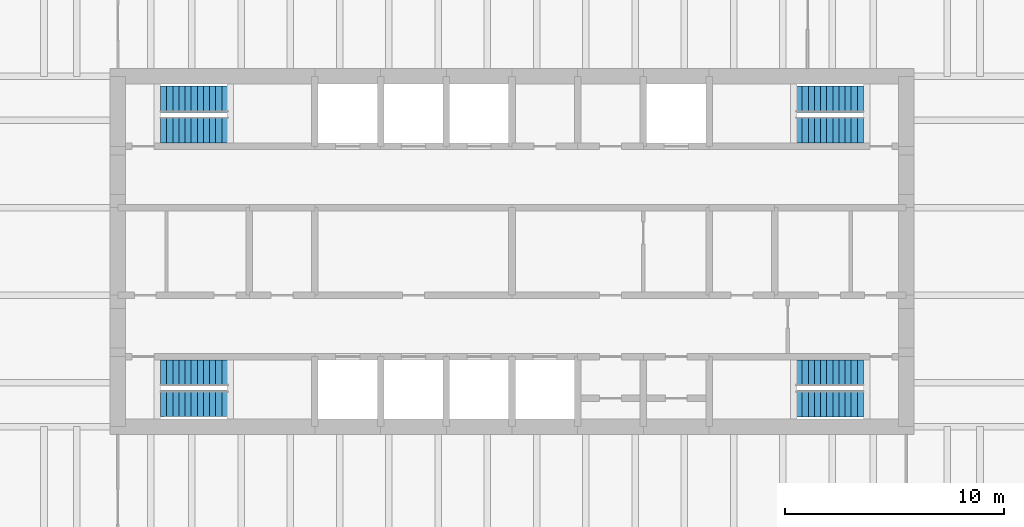
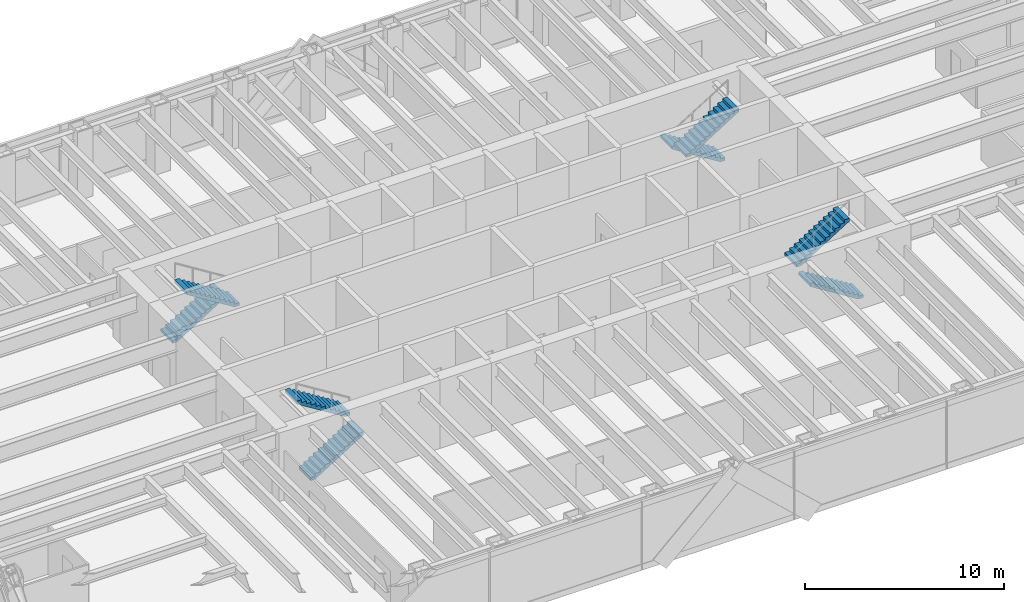
# One storey, part 16 of 17: 8 stair flights, 4 elements without a shape of their own.
"""IFC4 building model written with IfcOpenShell, lengths in metres."""

import ifcopenshell
import ifcopenshell.guid

model = None  # the IFC model being written
_history = None  # IfcOwnerHistory: only IFC2X3 demands one
_inside = {}  # id of a spatial element -> (the spatial element, [elements in it])
_under = {}  # id of a project, library or spatial element -> (it, [spatial elements below it])
_declared = {}  # id of a project -> (the project, [libraries it declares])
_typed = {}  # id of a type object -> (the type object, [elements of that type])
_made_of = {}  # id of a material, layer set ... -> (it, [elements and type objects made of it])


def new_model(schema):
    """Start an empty IFC model of exactly this schema.

    Asked for "IFC4X3", IfcOpenShell would pick the latest addendum, in which some entities
    have other attributes; the version numbers below select the first issue.
    IFC2X3 requires an IfcOwnerHistory on every rooted entity: one is made here for all.
    """
    global model, _history
    if schema == "IFC4X3":
        model = ifcopenshell.file(schema_version=(4, 3, 0, 0))
    else:
        model = ifcopenshell.file(schema=schema)
    _inside.clear()
    _under.clear()
    _declared.clear()
    _typed.clear()
    _made_of.clear()
    _history = None
    if model.schema == "IFC2X3":
        org = make("IfcOrganization", Name="unknown")
        user = make(
            "IfcPersonAndOrganization",
            ThePerson=make("IfcPerson", FamilyName="unknown"),
            TheOrganization=org,
        )
        app = make(
            "IfcApplication",
            ApplicationDeveloper=org,
            Version="unknown",
            ApplicationFullName="unknown",
            ApplicationIdentifier="unknown",
        )
        _history = make(
            "IfcOwnerHistory",
            OwningUser=user,
            OwningApplication=app,
            ChangeAction="ADDED",
            CreationDate=0,
        )
    return model


def make(cls, **values):
    """One entity of the class cls with the attributes given. An attribute that is None is left unset."""
    return model.create_entity(
        cls, **{name: value for name, value in values.items() if value is not None}
    )


def rooted(cls, **values):
    """An entity with a GlobalId (a new one), such as an element, a storey or a relation."""
    return make(cls, GlobalId=ifcopenshell.guid.new(), OwnerHistory=_history, **values)


def si_unit(unit_type, name, prefix=None):
    """IfcSIUnit, for example si_unit("LENGTHUNIT", "METRE", prefix="MILLI")."""
    return make("IfcSIUnit", UnitType=unit_type, Prefix=prefix, Name=name)


def assignment(units):
    """IfcUnitAssignment: the units of a project."""
    return None if units is None else make("IfcUnitAssignment", Units=units)


def point(xyz):
    """IfcCartesianPoint."""
    return None if xyz is None else make("IfcCartesianPoint", Coordinates=xyz)


def direction(xyz):
    """IfcDirection."""
    return None if xyz is None else make("IfcDirection", DirectionRatios=xyz)


def frame(location, z_axis=None, x_axis=None):
    """IfcAxis2Placement3D, a coordinate frame: its origin and axes. An axis left out is left unset."""
    return make(
        "IfcAxis2Placement3D",
        Location=point(location),
        Axis=direction(z_axis),
        RefDirection=direction(x_axis),
    )


def origin():
    """The frame at (0, 0, 0) with its axes left unset."""
    return frame((0.0, 0.0, 0.0))


def place(relative_to, where):
    """IfcLocalPlacement: puts the frame where relative to a parent placement (None: the world)."""
    return make(
        "IfcLocalPlacement", PlacementRelTo=relative_to, RelativePlacement=where
    )


def context(
    kind, dimensions, precision=None, world=None, true_north=None, identifier=None
):
    """IfcGeometricRepresentationContext, for example the 3D "Model" context."""
    return make(
        "IfcGeometricRepresentationContext",
        ContextIdentifier=identifier,
        ContextType=kind,
        CoordinateSpaceDimension=dimensions,
        Precision=precision,
        WorldCoordinateSystem=world,
        TrueNorth=true_north,
    )


def subcontext(parent, identifier, kind, view, scale=None):
    """IfcGeometricRepresentationSubContext, for example "Body" below "Model"."""
    return make(
        "IfcGeometricRepresentationSubContext",
        ContextIdentifier=identifier,
        ContextType=kind,
        ParentContext=parent,
        TargetScale=scale,
        TargetView=view,
    )


def project(units=None, contexts=None):
    """IfcProject with its units and contexts."""
    return rooted(
        "IfcProject",
        Name="project",
        RepresentationContexts=contexts,
        UnitsInContext=assignment(units),
    )


def spatial(cls, under=None, at=None, **own):
    """A site, building, storey or space (cls), placed at a placement, below another one or the project."""
    s = rooted(cls, ObjectPlacement=at, **own)
    if under is not None:
        _under.setdefault(under.id(), (under, []))[1].append(s)
    return s


def polyline(points):
    """IfcPolyline through the points."""
    return make("IfcPolyline", Points=[point(p) for p in points])


def outline(outer, holes=None, kind="AREA"):
    """IfcArbitraryClosedProfileDef: a profile drawn as a closed curve; with holes, ...WithVoids."""
    if holes is None:
        return make("IfcArbitraryClosedProfileDef", ProfileType=kind, OuterCurve=outer)
    return make(
        "IfcArbitraryProfileDefWithVoids",
        ProfileType=kind,
        OuterCurve=outer,
        InnerCurves=holes,
    )


def extrude(swept, where, along, depth):
    """IfcExtrudedAreaSolid: the profile swept, set in the frame where, extruded along a direction by depth."""
    return make(
        "IfcExtrudedAreaSolid",
        SweptArea=swept,
        Position=where,
        ExtrudedDirection=direction(along),
        Depth=depth,
    )


def shape(context_of_items, identifier, shape_type, items):
    """IfcShapeRepresentation: the items that make up one representation, for example the "Body"."""
    return make(
        "IfcShapeRepresentation",
        ContextOfItems=context_of_items,
        RepresentationIdentifier=identifier,
        RepresentationType=shape_type,
        Items=items,
    )


def material(Name=None, Category=None):
    """IfcMaterial."""
    return make("IfcMaterial", Name=Name, Category=Category)


def made_of(thing, what):
    """Note that an element or type object is made of a material, layer set ...; save() writes the relation."""
    if what is not None:
        _made_of.setdefault(what.id(), (what, []))[1].append(thing)
    return thing


def type_object(cls, material=None, **own):
    """A type object (cls), such as IfcWallType, which elements share."""
    return made_of(rooted(cls, **own), material)


def element(
    cls,
    number,
    at=None,
    inside=None,
    cuts=None,
    type_object=None,
    material=None,
    context=None,
    identifier="Body",
    shape_type=None,
    held_by="IfcProductDefinitionShape",
    body=None,
    shapes=None,
    **own,
):
    """One element of the class cls, such as IfcWall. Its Tag is "e" and its number.

    at: its placement. inside: the storey or other place that contains it. cuts: it is an
    opening in that element (IfcRelVoidsElement). A single representation is given by context,
    identifier, shape_type and body (its items); several are given by shapes. held_by: the class
    of the entity that holds the representations. save() writes the other relations.
    """
    e = rooted(cls, Tag="e%d" % number, ObjectPlacement=at, **own)
    if body is not None:
        shapes = [shape(context, identifier, shape_type, body)]
    if shapes is not None:
        e.Representation = make(held_by, Representations=shapes)
    if inside is not None:
        _inside.setdefault(inside.id(), (inside, []))[1].append(e)
    if cuts is not None:
        rooted(
            "IfcRelVoidsElement", RelatingBuildingElement=cuts, RelatedOpeningElement=e
        )
    if type_object is not None:
        _typed.setdefault(type_object.id(), (type_object, []))[1].append(e)
    return made_of(e, material)


def aggregate(whole, parts):
    """IfcRelAggregates: a whole, such as a stair, and the parts it consists of."""
    return rooted("IfcRelAggregates", RelatingObject=whole, RelatedObjects=parts)


def save(model, path):
    """Write the relations noted so far, then the file.

    IfcRelAggregates (storeys below a building ...), IfcRelContainedInSpatialStructure (elements
    in a storey), IfcRelDefinesByType, IfcRelAssociatesMaterial and IfcRelDeclares: one each for
    every whole, place, type object, material and project.
    """
    for whole, parts in _under.values():
        aggregate(whole, parts)
    for where, things in _inside.values():
        rooted(
            "IfcRelContainedInSpatialStructure",
            RelatedElements=things,
            RelatingStructure=where,
        )
    for kind, things in _typed.values():
        rooted("IfcRelDefinesByType", RelatedObjects=things, RelatingType=kind)
    for what, things in _made_of.values():
        rooted("IfcRelAssociatesMaterial", RelatedObjects=things, RelatingMaterial=what)
    for by, libraries in _declared.values():
        rooted("IfcRelDeclares", RelatingContext=by, RelatedDefinitions=libraries)
    model.write(path)


model = new_model("IFC4")

# Units and contexts
model_context = context("Model", 3, precision=1e-05, world=origin(), true_north=direction((0.0, 1.0)))
body_context = subcontext(model_context, "Body", "Model", "MODEL_VIEW")
ifc_project = project(units=[si_unit("LENGTHUNIT", "METRE"), si_unit("AREAUNIT", "SQUARE_METRE"), si_unit("VOLUMEUNIT", "CUBIC_METRE"), si_unit("PLANEANGLEUNIT", "RADIAN"), si_unit("MASSUNIT", "GRAM", prefix="KILO")], contexts=[model_context])

# Site, building, storey
site_placement = place(None, origin())
site = spatial("IfcSite", under=ifc_project, at=site_placement, CompositionType="ELEMENT")
building_placement = place(site_placement, origin())
building = spatial("IfcBuilding", under=site, at=building_placement, Name="Rheinbord Bourse Tower", CompositionType="ELEMENT")
storey_placement = place(building_placement, frame((0.0, 0.0, 300.5)))
storey = spatial("IfcBuildingStorey", under=building, at=storey_placement, Name="L68", CompositionType="ELEMENT", Elevation=300.5)

# Stair, stair flights
ifc_material_1 = material(Name="Concrete C30/37", Category="concrete")
stair_type = type_object("IfcStairType", Name="CORE STAIR HALF TURN 4200", PredefinedType="HALF_TURN_STAIR", material=ifc_material_1)
stair_1_placement = place(storey_placement, origin())
stair_1 = element("IfcStair", 1, at=stair_1_placement, inside=storey, type_object=stair_type, Name="Stair ST1 L68, type CS6", PredefinedType="HALF_TURN_STAIR")
ifc_material_2 = material(Name="Concrete C30/37", Category="concrete")
stair_flight_type = type_object("IfcStairFlightType", Name="CORE STAIR FLIGHT 1200, 12 RISERS", PredefinedType="STRAIGHT", material=ifc_material_2)
stair_flight_1_placement = place(storey_placement, frame((19.949951171875, 17.050048828125, 0.0), z_axis=(0.0, 0.0, 1.0), x_axis=(1.0, 0.0, 0.0)))
stair_flight_1 = element("IfcStairFlight", 2, at=stair_flight_1_placement, type_object=stair_flight_type, Name="STAIR L68 ST1 F1", NumberOfRisers=12, NumberOfTreads=11, PredefinedType="STRAIGHT", RiserHeight=0.175, TreadLength=0.28, context=body_context, shape_type="SweptSolid", body=[
    extrude(outline(polyline([(0.0, 0.0), (0.0, 0.175048828125), (0.280029296875, 0.175048828125), (0.280029296875, 0.35009765625), (0.56005859375, 0.35009765625), (0.56005859375, 0.52490234375), (0.840087890625, 0.52490234375), (0.840087890625, 0.699951171875), (1.1201171875, 0.699951171875), (1.1201171875, 0.875), (1.39990234375, 0.875), (1.39990234375, 1.050048828125), (1.679931640625, 1.050048828125), (1.679931640625, 1.22509765625), (1.9599609375, 1.22509765625), (1.9599609375, 1.39990234375), (2.239990234375, 1.39990234375), (2.239990234375, 1.574951171875), (2.52001953125, 1.574951171875), (2.52001953125, 1.75), (2.800048828125, 1.75), (2.800048828125, 1.925048828125), (3.080078125, 1.925048828125), (3.080078125, 2.10009765625), (3.080078125, 1.748291015625), (0.28271484375, 0.0), (0.0, 0.0)])), frame((0.0, 0.60009765625, 0.0), z_axis=(0.0, -1.0, 0.0), x_axis=(1.0, 0.0, 0.0)), (0.0, 0.0, 1.0), 1.199951171875),
])
stair_flight_2_placement = place(storey_placement, frame((23.030029296875, 18.449951171875, 2.10009765625), z_axis=(0.0, 0.0, 1.0), x_axis=(-1.0, 0.0, 0.0)))
stair_flight_2 = element("IfcStairFlight", 3, at=stair_flight_2_placement, type_object=stair_flight_type, Name="STAIR L68 ST1 F2", NumberOfRisers=12, NumberOfTreads=11, PredefinedType="STRAIGHT", RiserHeight=0.175, TreadLength=0.28, context=body_context, shape_type="SweptSolid", body=[
    extrude(outline(polyline([(0.0, 0.0), (0.0, 0.175048828125), (0.280029296875, 0.175048828125), (0.280029296875, 0.35009765625), (0.56005859375, 0.35009765625), (0.56005859375, 0.52490234375), (0.840087890625, 0.52490234375), (0.840087890625, 0.699951171875), (1.1201171875, 0.699951171875), (1.1201171875, 0.875), (1.39990234375, 0.875), (1.39990234375, 1.050048828125), (1.679931640625, 1.050048828125), (1.679931640625, 1.22509765625), (1.9599609375, 1.22509765625), (1.9599609375, 1.39990234375), (2.239990234375, 1.39990234375), (2.239990234375, 1.574951171875), (2.52001953125, 1.574951171875), (2.52001953125, 1.75), (2.800048828125, 1.75), (2.800048828125, 1.925048828125), (3.080078125, 1.925048828125), (3.080078125, 2.10009765625), (3.080078125, 1.748291015625), (0.28271484375, 0.0), (0.0, 0.0)])), frame((0.0, 0.60009765625, 0.0), z_axis=(0.0, -1.0, 0.0), x_axis=(1.0, 0.0, 0.0)), (0.0, 0.0, 1.0), 1.199951171875),
])
aggregate(stair_1, [stair_flight_1, stair_flight_2])

stair_2_placement = place(storey_placement, origin())
stair_2 = element("IfcStair", 4, at=stair_2_placement, inside=storey, type_object=stair_type, Name="Stair ST2 L68, type CS6", PredefinedType="HALF_TURN_STAIR")
stair_flight_3_placement = place(storey_placement, frame((19.949951171875, 30.949951171875, 0.0), z_axis=(0.0, 0.0, 1.0), x_axis=(1.0, 0.0, 0.0)))
stair_flight_3 = element("IfcStairFlight", 5, at=stair_flight_3_placement, type_object=stair_flight_type, Name="STAIR L68 ST2 F1", NumberOfRisers=12, NumberOfTreads=11, PredefinedType="STRAIGHT", RiserHeight=0.175, TreadLength=0.28, context=body_context, shape_type="SweptSolid", body=[
    extrude(outline(polyline([(0.0, 0.0), (0.0, 0.175048828125), (0.280029296875, 0.175048828125), (0.280029296875, 0.35009765625), (0.56005859375, 0.35009765625), (0.56005859375, 0.52490234375), (0.840087890625, 0.52490234375), (0.840087890625, 0.699951171875), (1.1201171875, 0.699951171875), (1.1201171875, 0.875), (1.39990234375, 0.875), (1.39990234375, 1.050048828125), (1.679931640625, 1.050048828125), (1.679931640625, 1.22509765625), (1.9599609375, 1.22509765625), (1.9599609375, 1.39990234375), (2.239990234375, 1.39990234375), (2.239990234375, 1.574951171875), (2.52001953125, 1.574951171875), (2.52001953125, 1.75), (2.800048828125, 1.75), (2.800048828125, 1.925048828125), (3.080078125, 1.925048828125), (3.080078125, 2.10009765625), (3.080078125, 1.748291015625), (0.28271484375, 0.0), (0.0, 0.0)])), frame((0.0, 0.60009765625, 0.0), z_axis=(0.0, -1.0, 0.0), x_axis=(1.0, 0.0, 0.0)), (0.0, 0.0, 1.0), 1.199951171875),
])
stair_flight_4_placement = place(storey_placement, frame((23.030029296875, 29.550048828125, 2.10009765625), z_axis=(0.0, 0.0, 1.0), x_axis=(-1.0, 0.0, 0.0)))
stair_flight_4 = element("IfcStairFlight", 6, at=stair_flight_4_placement, type_object=stair_flight_type, Name="STAIR L68 ST2 F2", NumberOfRisers=12, NumberOfTreads=11, PredefinedType="STRAIGHT", RiserHeight=0.175, TreadLength=0.28, context=body_context, shape_type="SweptSolid", body=[
    extrude(outline(polyline([(0.0, 0.0), (0.0, 0.175048828125), (0.280029296875, 0.175048828125), (0.280029296875, 0.35009765625), (0.56005859375, 0.35009765625), (0.56005859375, 0.52490234375), (0.840087890625, 0.52490234375), (0.840087890625, 0.699951171875), (1.1201171875, 0.699951171875), (1.1201171875, 0.875), (1.39990234375, 0.875), (1.39990234375, 1.050048828125), (1.679931640625, 1.050048828125), (1.679931640625, 1.22509765625), (1.9599609375, 1.22509765625), (1.9599609375, 1.39990234375), (2.239990234375, 1.39990234375), (2.239990234375, 1.574951171875), (2.52001953125, 1.574951171875), (2.52001953125, 1.75), (2.800048828125, 1.75), (2.800048828125, 1.925048828125), (3.080078125, 1.925048828125), (3.080078125, 2.10009765625), (3.080078125, 1.748291015625), (0.28271484375, 0.0), (0.0, 0.0)])), frame((0.0, 0.60009765625, 0.0), z_axis=(0.0, -1.0, 0.0), x_axis=(1.0, 0.0, 0.0)), (0.0, 0.0, 1.0), 1.199951171875),
])
aggregate(stair_2, [stair_flight_3, stair_flight_4])

stair_3_placement = place(storey_placement, origin())
stair_3 = element("IfcStair", 7, at=stair_3_placement, inside=storey, type_object=stair_type, Name="Stair ST3 L68, type CS6", PredefinedType="HALF_TURN_STAIR")
stair_flight_5_placement = place(storey_placement, frame((52.050048828125, 17.050048828125, 0.0), z_axis=(0.0, 0.0, 1.0), x_axis=(-1.0, 0.0, 0.0)))
stair_flight_5 = element("IfcStairFlight", 8, at=stair_flight_5_placement, type_object=stair_flight_type, Name="STAIR L68 ST3 F1", NumberOfRisers=12, NumberOfTreads=11, PredefinedType="STRAIGHT", RiserHeight=0.175, TreadLength=0.28, context=body_context, shape_type="SweptSolid", body=[
    extrude(outline(polyline([(0.0, 0.0), (0.0, 0.175048828125), (0.280029296875, 0.175048828125), (0.280029296875, 0.35009765625), (0.56005859375, 0.35009765625), (0.56005859375, 0.52490234375), (0.840087890625, 0.52490234375), (0.840087890625, 0.699951171875), (1.1201171875, 0.699951171875), (1.1201171875, 0.875), (1.39990234375, 0.875), (1.39990234375, 1.050048828125), (1.679931640625, 1.050048828125), (1.679931640625, 1.22509765625), (1.9599609375, 1.22509765625), (1.9599609375, 1.39990234375), (2.239990234375, 1.39990234375), (2.239990234375, 1.574951171875), (2.52001953125, 1.574951171875), (2.52001953125, 1.75), (2.800048828125, 1.75), (2.800048828125, 1.925048828125), (3.080078125, 1.925048828125), (3.080078125, 2.10009765625), (3.080078125, 1.748291015625), (0.28271484375, 0.0), (0.0, 0.0)])), frame((0.0, 0.60009765625, 0.0), z_axis=(0.0, -1.0, 0.0), x_axis=(1.0, 0.0, 0.0)), (0.0, 0.0, 1.0), 1.199951171875),
])
stair_flight_6_placement = place(storey_placement, frame((48.969970703125, 18.449951171875, 2.10009765625), z_axis=(0.0, 0.0, 1.0), x_axis=(1.0, 0.0, 0.0)))
stair_flight_6 = element("IfcStairFlight", 9, at=stair_flight_6_placement, type_object=stair_flight_type, Name="STAIR L68 ST3 F2", NumberOfRisers=12, NumberOfTreads=11, PredefinedType="STRAIGHT", RiserHeight=0.175, TreadLength=0.28, context=body_context, shape_type="SweptSolid", body=[
    extrude(outline(polyline([(0.0, 0.0), (0.0, 0.175048828125), (0.280029296875, 0.175048828125), (0.280029296875, 0.35009765625), (0.56005859375, 0.35009765625), (0.56005859375, 0.52490234375), (0.840087890625, 0.52490234375), (0.840087890625, 0.699951171875), (1.1201171875, 0.699951171875), (1.1201171875, 0.875), (1.39990234375, 0.875), (1.39990234375, 1.050048828125), (1.679931640625, 1.050048828125), (1.679931640625, 1.22509765625), (1.9599609375, 1.22509765625), (1.9599609375, 1.39990234375), (2.239990234375, 1.39990234375), (2.239990234375, 1.574951171875), (2.52001953125, 1.574951171875), (2.52001953125, 1.75), (2.800048828125, 1.75), (2.800048828125, 1.925048828125), (3.080078125, 1.925048828125), (3.080078125, 2.10009765625), (3.080078125, 1.748291015625), (0.28271484375, 0.0), (0.0, 0.0)])), frame((0.0, 0.60009765625, 0.0), z_axis=(0.0, -1.0, 0.0), x_axis=(1.0, 0.0, 0.0)), (0.0, 0.0, 1.0), 1.199951171875),
])
aggregate(stair_3, [stair_flight_5, stair_flight_6])

stair_4_placement = place(storey_placement, origin())
stair_4 = element("IfcStair", 10, at=stair_4_placement, inside=storey, type_object=stair_type, Name="Stair ST4 L68, type CS6", PredefinedType="HALF_TURN_STAIR")
stair_flight_7_placement = place(storey_placement, frame((52.050048828125, 30.949951171875, 0.0), z_axis=(0.0, 0.0, 1.0), x_axis=(-1.0, 0.0, 0.0)))
stair_flight_7 = element("IfcStairFlight", 11, at=stair_flight_7_placement, type_object=stair_flight_type, Name="STAIR L68 ST4 F1", NumberOfRisers=12, NumberOfTreads=11, PredefinedType="STRAIGHT", RiserHeight=0.175, TreadLength=0.28, context=body_context, shape_type="SweptSolid", body=[
    extrude(outline(polyline([(0.0, 0.0), (0.0, 0.175048828125), (0.280029296875, 0.175048828125), (0.280029296875, 0.35009765625), (0.56005859375, 0.35009765625), (0.56005859375, 0.52490234375), (0.840087890625, 0.52490234375), (0.840087890625, 0.699951171875), (1.1201171875, 0.699951171875), (1.1201171875, 0.875), (1.39990234375, 0.875), (1.39990234375, 1.050048828125), (1.679931640625, 1.050048828125), (1.679931640625, 1.22509765625), (1.9599609375, 1.22509765625), (1.9599609375, 1.39990234375), (2.239990234375, 1.39990234375), (2.239990234375, 1.574951171875), (2.52001953125, 1.574951171875), (2.52001953125, 1.75), (2.800048828125, 1.75), (2.800048828125, 1.925048828125), (3.080078125, 1.925048828125), (3.080078125, 2.10009765625), (3.080078125, 1.748291015625), (0.28271484375, 0.0), (0.0, 0.0)])), frame((0.0, 0.60009765625, 0.0), z_axis=(0.0, -1.0, 0.0), x_axis=(1.0, 0.0, 0.0)), (0.0, 0.0, 1.0), 1.199951171875),
])
stair_flight_8_placement = place(storey_placement, frame((48.969970703125, 29.550048828125, 2.10009765625), z_axis=(0.0, 0.0, 1.0), x_axis=(1.0, 0.0, 0.0)))
stair_flight_8 = element("IfcStairFlight", 12, at=stair_flight_8_placement, type_object=stair_flight_type, Name="STAIR L68 ST4 F2", NumberOfRisers=12, NumberOfTreads=11, PredefinedType="STRAIGHT", RiserHeight=0.175, TreadLength=0.28, context=body_context, shape_type="SweptSolid", body=[
    extrude(outline(polyline([(0.0, 0.0), (0.0, 0.175048828125), (0.280029296875, 0.175048828125), (0.280029296875, 0.35009765625), (0.56005859375, 0.35009765625), (0.56005859375, 0.52490234375), (0.840087890625, 0.52490234375), (0.840087890625, 0.699951171875), (1.1201171875, 0.699951171875), (1.1201171875, 0.875), (1.39990234375, 0.875), (1.39990234375, 1.050048828125), (1.679931640625, 1.050048828125), (1.679931640625, 1.22509765625), (1.9599609375, 1.22509765625), (1.9599609375, 1.39990234375), (2.239990234375, 1.39990234375), (2.239990234375, 1.574951171875), (2.52001953125, 1.574951171875), (2.52001953125, 1.75), (2.800048828125, 1.75), (2.800048828125, 1.925048828125), (3.080078125, 1.925048828125), (3.080078125, 2.10009765625), (3.080078125, 1.748291015625), (0.28271484375, 0.0), (0.0, 0.0)])), frame((0.0, 0.60009765625, 0.0), z_axis=(0.0, -1.0, 0.0), x_axis=(1.0, 0.0, 0.0)), (0.0, 0.0, 1.0), 1.199951171875),
])
aggregate(stair_4, [stair_flight_7, stair_flight_8])

save(model, "model.ifc")
